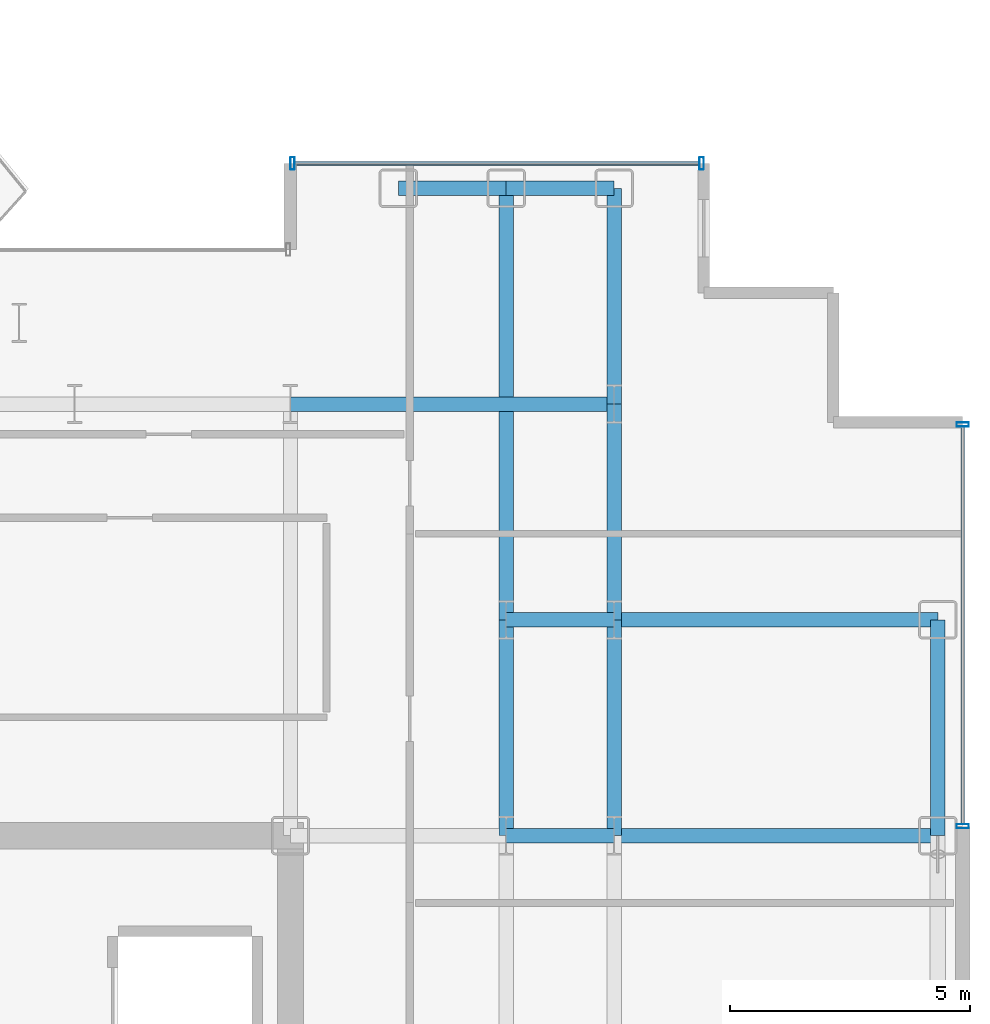
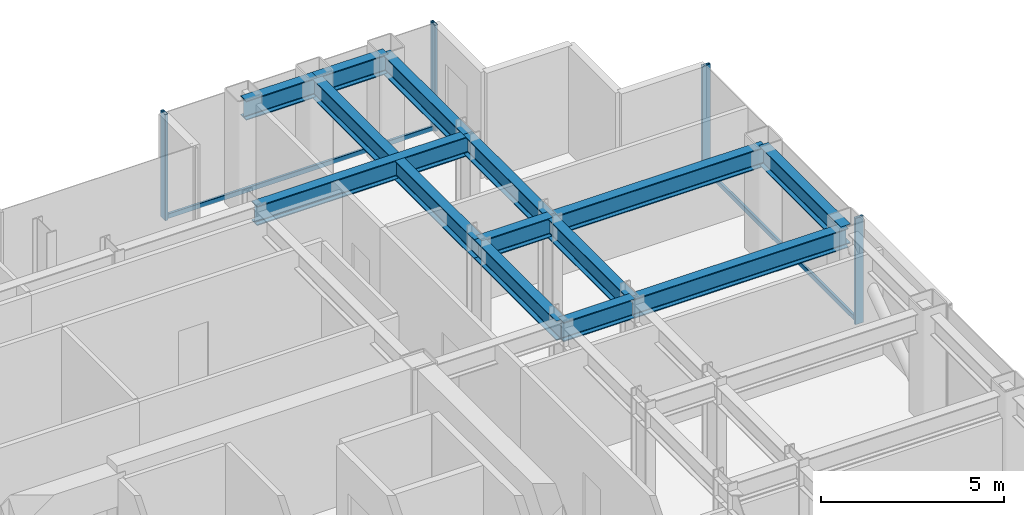
# One storey, part 16 of 25: 13 beams, 6 members, 2 elements without a shape of their own.
"""IFC4 building model written with IfcOpenShell, lengths in metres."""

from ifc_helpers import new_model, si_unit, direction, frame, origin, origin_2d, place, context, subcontext, project, spatial, hollow_rectangle, i_section, extrude, source, transform, mapped, material, layer, layer_set, material_profile, profile_set, type_object, element, aggregate, save


model = new_model("IFC4")

# Units and contexts
model_context = context("Model", 3, precision=1e-05, world=origin(), true_north=direction((0.0, 1.0)))
body_context = subcontext(model_context, "Body", "Model", "MODEL_VIEW")
ifc_project = project(units=[si_unit("LENGTHUNIT", "METRE"), si_unit("AREAUNIT", "SQUARE_METRE"), si_unit("VOLUMEUNIT", "CUBIC_METRE"), si_unit("PLANEANGLEUNIT", "RADIAN"), si_unit("MASSUNIT", "GRAM", prefix="KILO")], contexts=[model_context])

# Site, building, storey
site_placement = place(None, origin())
site = spatial("IfcSite", under=ifc_project, at=site_placement, CompositionType="ELEMENT")
building_placement = place(site_placement, origin())
building = spatial("IfcBuilding", under=site, at=building_placement, Name="Nefas-Gora Pilgrimage Tower", CompositionType="ELEMENT")
storey_placement = place(building_placement, frame((0.0, 0.0, 194.39990234375)))
storey = spatial("IfcBuildingStorey", under=building, at=storey_placement, Name="L48", CompositionType="ELEMENT", Elevation=194.39990234375)

# Beams
ifc_material_1 = material(Name="Steel S355", Category="steel")
ifc_material_profile_1 = material_profile(ifc_material_1, i_section(OverallWidth=0.300048828125, OverallDepth=0.64990234375, WebThickness=0.01611328125, FlangeThickness=0.031005859375, FilletRadius=0.027099609375, at=origin_2d()), Name="HEB 650")
ifc_profile_set_1 = profile_set([ifc_material_profile_1], Name="Steel S355")
beam_type_1 = type_object("IfcBeamType", Name="BM-SPN-HEB500", PredefinedType="SPANDREL", material=ifc_profile_set_1)
shared_shape_1 = source(origin(), body_context, "Body", "SweptSolid", [
    extrude(i_section(OverallWidth=0.300048828125, OverallDepth=0.64990234375, WebThickness=0.01611328125, FlangeThickness=0.031005859375, FilletRadius=0.027099609375, at=origin_2d()), origin(), (0.0, 0.0, 1.0), 4.5),
])
beam_1_placement = place(storey_placement, frame((24.75, 9.0, 3.22509765625), z_axis=(0.0, 1.0, 0.0), x_axis=(-1.0, 0.0, 0.0)))
element("IfcBeam", 1, at=beam_1_placement, inside=storey, type_object=beam_type_1, Name="L48 SP-02 beam", PredefinedType="SPANDREL", context=body_context, shape_type="MappedRepresentation", body=[
    mapped(shared_shape_1, transform((0.0, 0.0, 0.0), x_axis=(1.0, 0.0, 0.0), y_axis=(0.0, 1.0, 0.0), z_axis=(0.0, 0.0, 1.0), scale=1.0)),
])
ifc_material_profile_2 = material_profile(ifc_material_1, i_section(OverallWidth=0.300048828125, OverallDepth=0.64990234375, WebThickness=0.01611328125, FlangeThickness=0.031005859375, FilletRadius=0.027099609375, at=origin_2d()), Name="HEB 650")
ifc_profile_set_2 = profile_set([ifc_material_profile_2], Name="Steel S355")
beam_type_2 = type_object("IfcBeamType", Name="BM-GIR-HEB650", PredefinedType="BEAM", material=ifc_profile_set_2)
shared_shape_2 = source(origin(), body_context, "Body", "SweptSolid", [
    extrude(i_section(OverallWidth=0.300048828125, OverallDepth=0.64990234375, WebThickness=0.01611328125, FlangeThickness=0.031005859375, FilletRadius=0.027099609375, at=origin_2d()), origin(), (0.0, 0.0, 1.0), 9.0),
])
beam_2_placement = place(storey_placement, frame((15.75, 13.5, 3.22509765625), z_axis=(0.0, 1.0, 0.0), x_axis=(-1.0, 0.0, 0.0)))
element("IfcBeam", 2, at=beam_2_placement, inside=storey, type_object=beam_type_2, Name="L48 G-03 beam", PredefinedType="BEAM", context=body_context, shape_type="MappedRepresentation", body=[
    mapped(shared_shape_2, transform((0.0, 0.0, 0.0), x_axis=(1.0, 0.0, 0.0), y_axis=(0.0, 1.0, 0.0), z_axis=(0.0, 0.0, 1.0), scale=1.0)),
])
shared_shape_3 = source(origin(), body_context, "Body", "SweptSolid", [
    extrude(i_section(OverallWidth=0.300048828125, OverallDepth=0.64990234375, WebThickness=0.01611328125, FlangeThickness=0.031005859375, FilletRadius=0.027099609375, at=origin_2d()), origin(), (0.0, 0.0, 1.0), 4.5),
])
for number, where, z_axis, x_axis, name in (
    (3, (15.75, 9.0, 3.22509765625), (0.0, 1.0, 0.0), (-1.0, 0.0, 0.0), "L48 G-03 beam"),
    (4, (18.0, 9.0, 3.22509765625), (0.0, 1.0, 0.0), (-1.0, 0.0, 0.0), "L48 G-03 beam"),
    (5, (18.0, 13.5, 3.22509765625), (0.0, 1.0, 0.0), (-1.0, 0.0, 0.0), "L48 G-03 beam"),
    (6, (18.0, 18.0, 3.22509765625), (0.0, 1.0, 0.0), (-1.0, 0.0, 0.0), "L48 G-03 beam"),
):
    element("IfcBeam", number, at=place(storey_placement, frame(where, z_axis=z_axis, x_axis=x_axis)), inside=storey, type_object=beam_type_2, Name=name, PredefinedType="BEAM", context=body_context, shape_type="MappedRepresentation", body=[
        mapped(shared_shape_3, transform((0.0, 0.0, 0.0), x_axis=(1.0, 0.0, 0.0), y_axis=(0.0, 1.0, 0.0), z_axis=(0.0, 0.0, 1.0), scale=1.0)),
    ])
shared_shape_4 = source(origin(), body_context, "Body", "SweptSolid", [
    extrude(i_section(OverallWidth=0.300048828125, OverallDepth=0.64990234375, WebThickness=0.01611328125, FlangeThickness=0.031005859375, FilletRadius=0.027099609375, at=origin_2d()), origin(), (0.0, 0.0, 1.0), 6.75),
])
for number, where, z_axis, x_axis, name in (
    (7, (11.25, 18.0, 3.22509765625), (1.0, 0.0, 0.0), (0.0, 1.0, 0.0), "L48 G-03 beam"),
    (8, (18.0, 9.0, 3.22509765625), (1.0, 0.0, 0.0), (0.0, 1.0, 0.0), "L48 G-03 beam"),
    (9, (18.0, 13.5, 3.22509765625), (1.0, 0.0, 0.0), (0.0, 1.0, 0.0), "L48 G-03 beam"),
):
    element("IfcBeam", number, at=place(storey_placement, frame(where, z_axis=z_axis, x_axis=x_axis)), inside=storey, type_object=beam_type_2, Name=name, PredefinedType="BEAM", context=body_context, shape_type="MappedRepresentation", body=[
        mapped(shared_shape_4, transform((0.0, 0.0, 0.0), x_axis=(1.0, 0.0, 0.0), y_axis=(0.0, 1.0, 0.0), z_axis=(0.0, 0.0, 1.0), scale=1.0)),
    ])
shared_shape_5 = source(origin(), body_context, "Body", "SweptSolid", [
    extrude(i_section(OverallWidth=0.300048828125, OverallDepth=0.64990234375, WebThickness=0.01611328125, FlangeThickness=0.031005859375, FilletRadius=0.027099609375, at=origin_2d()), origin(), (0.0, 0.0, 1.0), 2.25),
])
for number, where, z_axis, x_axis, name in (
    (10, (13.5, 22.5, 3.22509765625), (1.0, 0.0, 0.0), (0.0, 1.0, 0.0), "L48 SP-02 beam"),
    (11, (15.75, 22.5, 3.22509765625), (1.0, 0.0, 0.0), (0.0, 1.0, 0.0), "L48 SP-02 beam"),
):
    element("IfcBeam", number, at=place(storey_placement, frame(where, z_axis=z_axis, x_axis=x_axis)), inside=storey, type_object=beam_type_1, Name=name, PredefinedType="SPANDREL", context=body_context, shape_type="MappedRepresentation", body=[
        mapped(shared_shape_5, transform((0.0, 0.0, 0.0), x_axis=(1.0, 0.0, 0.0), y_axis=(0.0, 1.0, 0.0), z_axis=(0.0, 0.0, 1.0), scale=1.0)),
    ])
shared_shape_6 = source(origin(), body_context, "Body", "SweptSolid", [
    extrude(i_section(OverallWidth=0.300048828125, OverallDepth=0.64990234375, WebThickness=0.01611328125, FlangeThickness=0.031005859375, FilletRadius=0.027099609375, at=origin_2d()), origin(), (0.0, 0.0, 1.0), 2.25),
])
for number, where, z_axis, x_axis, name in (
    (12, (15.75, 9.0, 3.22509765625), (1.0, 0.0, 0.0), (0.0, 1.0, 0.0), "L48 G-03 beam"),
    (13, (15.75, 13.5, 3.22509765625), (1.0, 0.0, 0.0), (0.0, 1.0, 0.0), "L48 G-03 beam"),
):
    element("IfcBeam", number, at=place(storey_placement, frame(where, z_axis=z_axis, x_axis=x_axis)), inside=storey, type_object=beam_type_2, Name=name, PredefinedType="BEAM", context=body_context, shape_type="MappedRepresentation", body=[
        mapped(shared_shape_6, transform((0.0, 0.0, 0.0), x_axis=(1.0, 0.0, 0.0), y_axis=(0.0, 1.0, 0.0), z_axis=(0.0, 0.0, 1.0), scale=1.0)),
    ])

# Curtain wall, members
ifc_material_2 = material(Name="Dark ceramic-fritted solar-control aluminium-glass curtain wall", Category="aluminium")
ifc_layer = layer(ifc_material_2, 0.219970703125)
ifc_layer_set = layer_set([ifc_layer], Name="Dark ceramic-fritted solar-control aluminium-glass curtain wall")
curtain_wall_type = type_object("IfcCurtainWallType", Name="CW-SYS-3", PredefinedType="NOTDEFINED", material=ifc_layer_set)
curtain_wall_1_placement = place(storey_placement, origin())
curtain_wall_1 = element("IfcCurtainWall", 14, at=curtain_wall_1_placement, inside=storey, type_object=curtain_wall_type, Name="L48 Unitised Curtain Wall CW3", PredefinedType="NOTDEFINED")
ifc_material_3 = material(Name="Anodised architectural aluminium", Category="aluminium")
ifc_material_profile_3 = material_profile(ifc_material_3, hollow_rectangle(XDim=0.090087890625, YDim=0.260009765625, WallThickness=0.006103515625, InnerFilletRadius=0.006103515625, OuterFilletRadius=0.011962890625, at=origin_2d()), Name="ALU MULLION 90x260")
ifc_profile_set_3 = profile_set([ifc_material_profile_3], Name="Anodised architectural aluminium")
member_type_1 = type_object("IfcMemberType", Name="CWM-MUL-3", PredefinedType="MULLION", material=ifc_profile_set_3)
shared_shape_7 = source(origin(), body_context, "Body", "SweptSolid", [
    extrude(hollow_rectangle(XDim=0.090087890625, YDim=0.260009765625, WallThickness=0.006103515625, InnerFilletRadius=0.006103515625, OuterFilletRadius=0.011962890625, at=origin_2d()), origin(), (0.0, 0.0, 1.0), 3.550048828125),
])
member_1_placement = place(storey_placement, frame((25.27001953125, 9.195068359375, 0.0), z_axis=(0.0, 0.0, 1.0), x_axis=(0.0, 1.0, 0.0)))
member_1 = element("IfcMember", 15, at=member_1_placement, type_object=member_type_1, Name="CW3 Mullion 1", PredefinedType="MULLION", context=body_context, shape_type="MappedRepresentation", body=[
    mapped(shared_shape_7, transform((0.0, 0.0, 0.0), x_axis=(1.0, 0.0, 0.0), y_axis=(0.0, 1.0, 0.0), z_axis=(0.0, 0.0, 1.0), scale=1.0)),
])
member_2_placement = place(storey_placement, frame((25.27001953125, 17.574951171875, 0.0), z_axis=(0.0, 0.0, 1.0), x_axis=(0.0, 1.0, 0.0)))
member_2 = element("IfcMember", 16, at=member_2_placement, type_object=member_type_1, Name="CW3 Mullion 2", PredefinedType="MULLION", context=body_context, shape_type="MappedRepresentation", body=[
    mapped(shared_shape_7, transform((0.0, 0.0, 0.0), x_axis=(1.0, 0.0, 0.0), y_axis=(0.0, 1.0, 0.0), z_axis=(0.0, 0.0, 1.0), scale=1.0)),
])

curtain_wall_2_placement = place(storey_placement, origin())
curtain_wall_2 = element("IfcCurtainWall", 17, at=curtain_wall_2_placement, inside=storey, type_object=curtain_wall_type, Name="L48 Unitised Curtain Wall CW3", PredefinedType="NOTDEFINED")
member_3_placement = place(storey_placement, frame((19.824951171875, 23.02001953125, 0.0), z_axis=(0.0, 0.0, 1.0), x_axis=(-1.0, 0.0, 0.0)))
member_3 = element("IfcMember", 18, at=member_3_placement, type_object=member_type_1, Name="CW3 Mullion 1", PredefinedType="MULLION", context=body_context, shape_type="MappedRepresentation", body=[
    mapped(shared_shape_7, transform((0.0, 0.0, 0.0), x_axis=(1.0, 0.0, 0.0), y_axis=(0.0, 1.0, 0.0), z_axis=(0.0, 0.0, 1.0), scale=1.0)),
])
member_4_placement = place(storey_placement, frame((11.294921875, 23.02001953125, 0.0), z_axis=(0.0, 0.0, 1.0), x_axis=(-1.0, 0.0, 0.0)))
member_4 = element("IfcMember", 19, at=member_4_placement, type_object=member_type_1, Name="CW3 Mullion 2", PredefinedType="MULLION", context=body_context, shape_type="MappedRepresentation", body=[
    mapped(shared_shape_7, transform((0.0, 0.0, 0.0), x_axis=(1.0, 0.0, 0.0), y_axis=(0.0, 1.0, 0.0), z_axis=(0.0, 0.0, 1.0), scale=1.0)),
])
ifc_material_profile_4 = material_profile(ifc_material_3, hollow_rectangle(XDim=0.080078125, YDim=0.159912109375, WallThickness=0.00439453125, InnerFilletRadius=0.00439453125, OuterFilletRadius=0.009033203125, at=origin_2d()), Name="ALU TRANSOM 80x160")
ifc_profile_set_4 = profile_set([ifc_material_profile_4], Name="Anodised architectural aluminium")
member_type_2 = type_object("IfcMemberType", Name="CWM-TRN-3", PredefinedType="USERDEFINED", material=ifc_profile_set_4)
shared_shape_8 = source(origin(), body_context, "Body", "SweptSolid", [
    extrude(hollow_rectangle(XDim=0.080078125, YDim=0.159912109375, WallThickness=0.00439453125, InnerFilletRadius=0.00439453125, OuterFilletRadius=0.009033203125, at=origin_2d()), origin(), (0.0, 0.0, 1.0), 8.43994140625),
])
member_5_placement = place(storey_placement, frame((19.780029296875, 23.02001953125, 0.050048828125), z_axis=(-1.0, 0.0, 0.0), x_axis=(0.0, -1.0, 0.0)))
member_5 = element("IfcMember", 20, at=member_5_placement, type_object=member_type_2, Name="CW3 Spandrel Transom", ObjectType="TRANSOM", PredefinedType="USERDEFINED", context=body_context, shape_type="MappedRepresentation", body=[
    mapped(shared_shape_8, transform((0.0, 0.0, 0.0), x_axis=(1.0, 0.0, 0.0), y_axis=(0.0, 1.0, 0.0), z_axis=(0.0, 0.0, 1.0), scale=1.0)),
])
aggregate(curtain_wall_2, [member_3, member_4, member_5])

# Member
shared_shape_9 = source(origin(), body_context, "Body", "SweptSolid", [
    extrude(hollow_rectangle(XDim=0.080078125, YDim=0.159912109375, WallThickness=0.00439453125, InnerFilletRadius=0.00439453125, OuterFilletRadius=0.009033203125, at=origin_2d()), origin(), (0.0, 0.0, 1.0), 8.2900390625),
])
member_6_placement = place(storey_placement, frame((25.27001953125, 9.239990234375, 0.050048828125), z_axis=(0.0, 1.0, 0.0), x_axis=(-1.0, 0.0, 0.0)))
member_6 = element("IfcMember", 21, at=member_6_placement, type_object=member_type_2, Name="CW3 Spandrel Transom", ObjectType="TRANSOM", PredefinedType="USERDEFINED", context=body_context, shape_type="MappedRepresentation", body=[
    mapped(shared_shape_9, transform((0.0, 0.0, 0.0), x_axis=(1.0, 0.0, 0.0), y_axis=(0.0, 1.0, 0.0), z_axis=(0.0, 0.0, 1.0), scale=1.0)),
])

aggregate(curtain_wall_1, [member_1, member_2, member_6])

save(model, "model.ifc")
